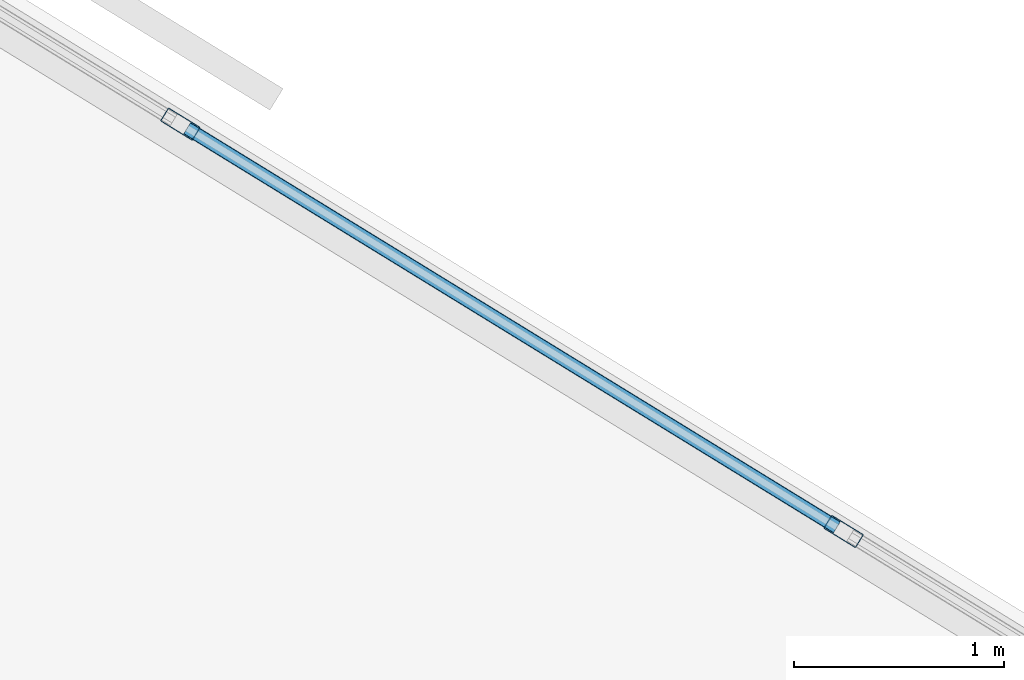
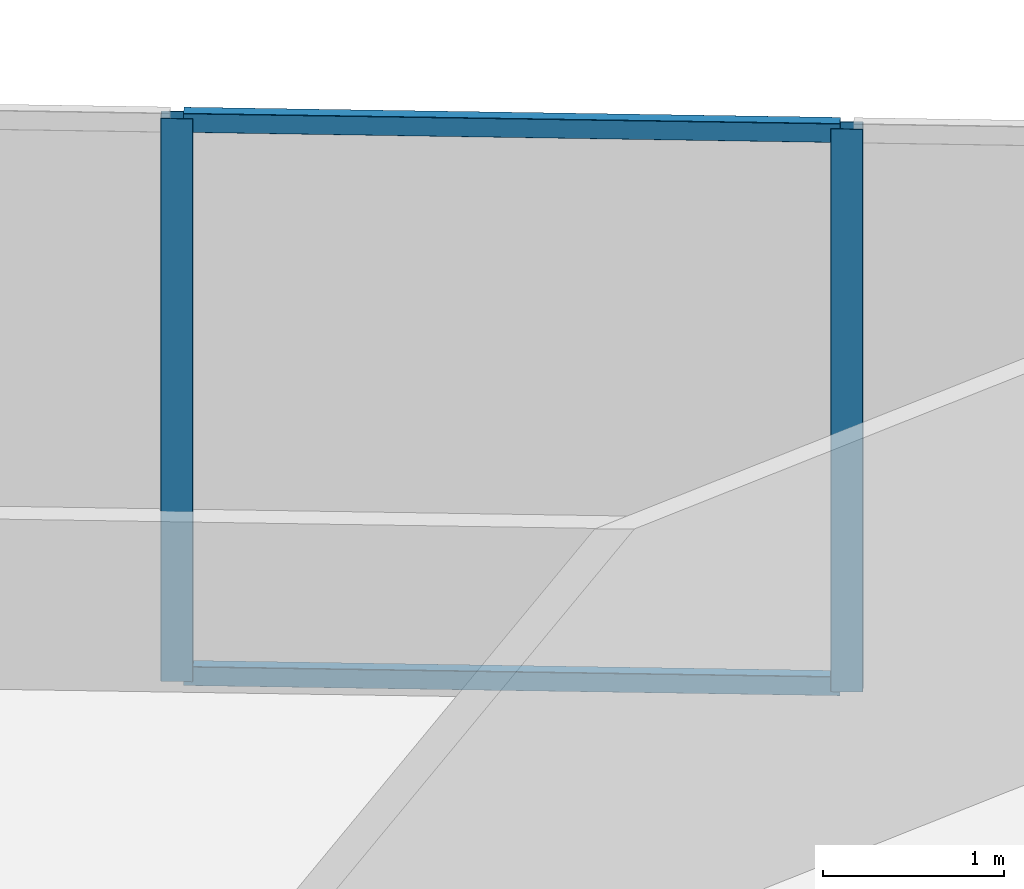
# One storey, part 8 of 19: 4 members, 1 element without a shape of its own.
"""IFC4 building model written with IfcOpenShell, lengths in metres."""

from ifc_helpers import new_model, si_unit, direction, frame, origin, origin_2d, place, context, subcontext, project, spatial, hollow_rectangle, extrude, material, material_profile, profile_set, type_object, element, aggregate, save


model = new_model("IFC4")

# Units and contexts
model_context = context("Model", 3, precision=1e-05, world=origin(), true_north=direction((0.0, 1.0)))
body_context = subcontext(model_context, "Body", "Model", "MODEL_VIEW")
ifc_project = project(units=[si_unit("LENGTHUNIT", "METRE"), si_unit("AREAUNIT", "SQUARE_METRE"), si_unit("VOLUMEUNIT", "CUBIC_METRE"), si_unit("PLANEANGLEUNIT", "RADIAN"), si_unit("MASSUNIT", "GRAM", prefix="KILO")], contexts=[model_context])

# Site, building, storey
site_placement = place(None, origin())
site = spatial("IfcSite", under=ifc_project, at=site_placement, CompositionType="ELEMENT")
building_placement = place(site_placement, origin())
building = spatial("IfcBuilding", under=site, at=building_placement, Name="Narakoshi Arena Tower", CompositionType="ELEMENT")
storey_placement = place(building_placement, frame((0.0, 0.0, 128.10009765625)))
storey = spatial("IfcBuildingStorey", under=building, at=storey_placement, Name="L34", CompositionType="ELEMENT", Elevation=128.10009765625)

# Curtain wall, members
ifc_material = material(Name="Anodised bronze aluminium 6063-T6", Category="aluminium")
curtain_wall_type = type_object("IfcCurtainWallType", Name="CW-HYP-LOW", PredefinedType="NOTDEFINED", material=ifc_material)
curtain_wall_placement = place(storey_placement, origin())
curtain_wall = element("IfcCurtainWall", 1, at=curtain_wall_placement, inside=storey, type_object=curtain_wall_type, Name="L34 Folded Hypotenuse Curtain Wall 1-1", PredefinedType="NOTDEFINED")
ifc_material_profile_1 = material_profile(ifc_material, hollow_rectangle(XDim=0.074951171875, YDim=0.179931640625, WallThickness=0.00390625, OuterFilletRadius=0.0048828125, at=origin_2d()), Name="MUL180x75x4")
ifc_profile_set_1 = profile_set([ifc_material_profile_1], Name="Anodised bronze aluminium 6063-T6")
member_type_1 = type_object("IfcMemberType", Name="MEM-MUL-180", PredefinedType="MULLION", material=ifc_profile_set_1)
member_1_placement = place(storey_placement, frame((109.718017578125, 49.349365234375, 0.0), z_axis=(0.0, 0.0, 1.0), x_axis=(-0.523358055641, -0.852112871394, 0.0)))
member_1 = element("IfcMember", 2, at=member_1_placement, type_object=member_type_1, Name="CW-01 mullion 4", PredefinedType="MULLION", context=body_context, shape_type="SweptSolid", body=[
    extrude(hollow_rectangle(XDim=0.074951171875, YDim=0.179931640625, WallThickness=0.00390625, OuterFilletRadius=0.0048828125, at=origin_2d()), origin(), (0.0, 0.0, 1.0), 3.7998046875),
])
member_2_placement = place(storey_placement, frame((106.55908203125, 51.28955078125, 0.0), z_axis=(0.0, 0.0, 1.0), x_axis=(-0.523358055641, -0.852112871394, 0.0)))
member_2 = element("IfcMember", 3, at=member_2_placement, type_object=member_type_1, Name="CW-01 mullion 5", PredefinedType="MULLION", context=body_context, shape_type="SweptSolid", body=[
    extrude(hollow_rectangle(XDim=0.074951171875, YDim=0.179931640625, WallThickness=0.00390625, OuterFilletRadius=0.0048828125, at=origin_2d()), origin(), (0.0, 0.0, 1.0), 3.7998046875),
])
ifc_material_profile_2 = material_profile(ifc_material, hollow_rectangle(XDim=0.06494140625, YDim=0.1298828125, WallThickness=0.00390625, OuterFilletRadius=0.0048828125, at=origin_2d()), Name="TRN130x65x4")
ifc_profile_set_2 = profile_set([ifc_material_profile_2], Name="Anodised bronze aluminium 6063-T6")
member_type_2 = type_object("IfcMemberType", Name="MEM-TRN-130", PredefinedType="USERDEFINED", material=ifc_profile_set_2)
member_3_placement = place(storey_placement, frame((109.68603515625, 49.369140625, 0.032470703125), z_axis=(-0.852114955894, 0.523354661717, 0.0), x_axis=(-0.523354661717, -0.852114955894, 0.0)))
member_3 = element("IfcMember", 4, at=member_3_placement, type_object=member_type_2, Name="CW-01 transom 4.1", ObjectType="TRANSOM", PredefinedType="USERDEFINED", context=body_context, shape_type="SweptSolid", body=[
    extrude(hollow_rectangle(XDim=0.06494140625, YDim=0.1298828125, WallThickness=0.00390625, OuterFilletRadius=0.0048828125, at=origin_2d()), origin(), (0.0, 0.0, 1.0), 3.632080078125),
])
member_4_placement = place(storey_placement, frame((109.68603515625, 49.369140625, 3.767333984375), z_axis=(-0.852114955894, 0.523354661717, 0.0), x_axis=(-0.523354661717, -0.852114955894, 0.0)))
member_4 = element("IfcMember", 5, at=member_4_placement, type_object=member_type_2, Name="CW-01 transom 4.2", ObjectType="TRANSOM", PredefinedType="USERDEFINED", context=body_context, shape_type="SweptSolid", body=[
    extrude(hollow_rectangle(XDim=0.06494140625, YDim=0.1298828125, WallThickness=0.00390625, OuterFilletRadius=0.0048828125, at=origin_2d()), origin(), (0.0, 0.0, 1.0), 3.632080078125),
])
aggregate(curtain_wall, [member_1, member_2, member_3, member_4])

save(model, "model.ifc")
